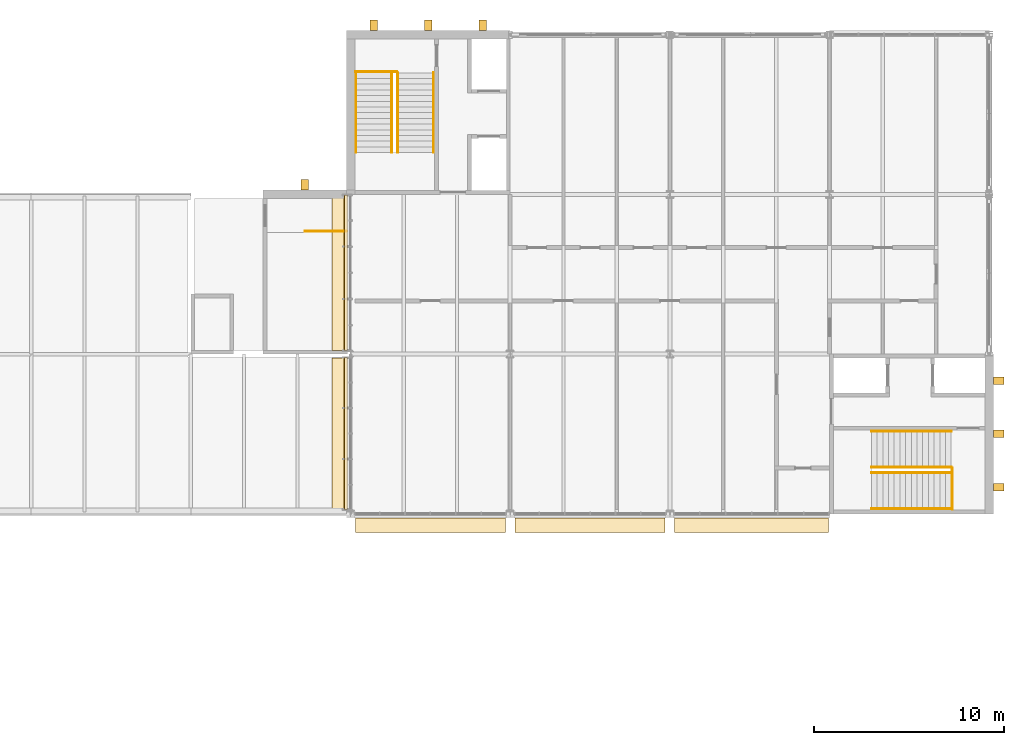
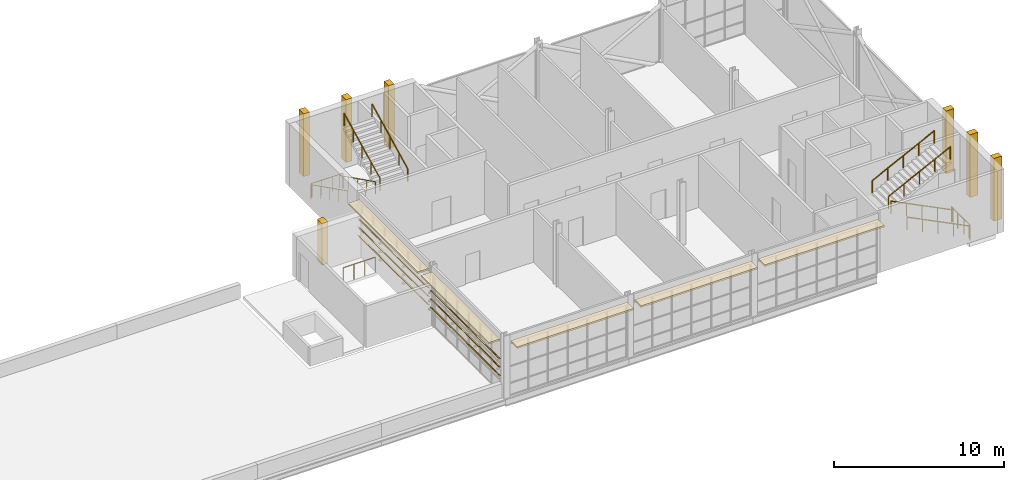
# One storey, part 29 of 29: 18 coverings, 11 railings.
"""IFC4 building model written with IfcOpenShell, lengths in metres."""

from ifc_helpers import new_model, si_unit, direction, frame, origin, origin_2d, place, context, subcontext, project, spatial, rectangle, circle, extrude, material, layer, layer_set, material_profile, profile_set, type_object, element, save


model = new_model("IFC4")

# Units and contexts
model_context = context("Model", 3, precision=1e-05, world=origin(), true_north=direction((0.0, 1.0)))
body_context = subcontext(model_context, "Body", "Model", "MODEL_VIEW")
ifc_project = project(units=[si_unit("LENGTHUNIT", "METRE"), si_unit("AREAUNIT", "SQUARE_METRE"), si_unit("VOLUMEUNIT", "CUBIC_METRE"), si_unit("PLANEANGLEUNIT", "RADIAN"), si_unit("MASSUNIT", "GRAM", prefix="KILO")], contexts=[model_context])

# Site, building, storey
site_placement = place(None, origin())
site = spatial("IfcSite", under=ifc_project, at=site_placement, CompositionType="ELEMENT")
building_placement = place(site_placement, origin())
building = spatial("IfcBuilding", under=site, at=building_placement, Name="Ardhachandra Cancer Care Centre", CompositionType="ELEMENT")
storey_placement = place(building_placement, frame((0.0, 0.0, 13.5)))
storey = spatial("IfcBuildingStorey", under=building, at=storey_placement, Name="L03", CompositionType="ELEMENT", Elevation=13.5)

# Railings
ifc_material_1 = material(Name="Steel E250 (IS 2062)", Category="steel")
railing_type_1 = type_object("IfcRailingType", Name="Guard 1100", PredefinedType="GUARDRAIL", material=ifc_material_1)
railing_1_placement = place(storey_placement, frame((111.3701171875, 94.659912109375, 0.0)))
element("IfcRailing", 1, at=railing_1_placement, inside=storey, type_object=railing_type_1, Name="Stair well guard K7 L03", PredefinedType="GUARDRAIL", context=body_context, shape_type="SweptSolid", body=[
    extrude(circle(Radius=0.02392578125, at=origin_2d()), frame((0.0, 0.0, 1.076171875), z_axis=(-1.0, 0.0, 0.0), x_axis=(0.0, -1.0, 0.0)), (0.0, 0.0, 1.0), 2.170166015625),
    extrude(circle(Radius=0.02099609375, at=origin_2d()), origin(), (0.0, 0.0, 1.0), 1.052001953125),
    extrude(circle(Radius=0.02099609375, at=origin_2d()), frame((-0.723388671875, 0.0, 0.0)), (0.0, 0.0, 1.0), 1.052001953125),
    extrude(circle(Radius=0.02099609375, at=origin_2d()), frame((-1.44677734375, 0.0, 0.0)), (0.0, 0.0, 1.0), 1.052001953125),
    extrude(circle(Radius=0.02099609375, at=origin_2d()), frame((-2.170166015625, 0.0, 0.0)), (0.0, 0.0, 1.0), 1.052001953125),
])
railing_2_placement = place(storey_placement, frame((111.85498046875, 103.06005859375, 0.0)))
element("IfcRailing", 2, at=railing_2_placement, inside=storey, type_object=railing_type_1, Name="Stair well guard K12 L03", PredefinedType="GUARDRAIL", context=body_context, shape_type="SweptSolid", body=[
    extrude(circle(Radius=0.02392578125, at=origin_2d()), frame((0.0, 0.0, 1.076171875), z_axis=(1.0, 0.0, 0.0), x_axis=(0.0, 1.0, 0.0)), (0.0, 0.0, 1.0), 2.169921875),
    extrude(circle(Radius=0.02099609375, at=origin_2d()), origin(), (0.0, 0.0, 1.0), 1.052001953125),
    extrude(circle(Radius=0.02099609375, at=origin_2d()), frame((0.723388671875, 0.0, 0.0)), (0.0, 0.0, 1.0), 1.052001953125),
    extrude(circle(Radius=0.02099609375, at=origin_2d()), frame((1.446533203125, 0.0, 0.0)), (0.0, 0.0, 1.0), 1.052001953125),
    extrude(circle(Radius=0.02099609375, at=origin_2d()), frame((2.169921875, 0.0, 0.0)), (0.0, 0.0, 1.0), 1.052001953125),
])
railing_3_placement = place(storey_placement, frame((143.260009765625, 80.030029296875, 0.0)))
element("IfcRailing", 3, at=railing_3_placement, inside=storey, type_object=railing_type_1, Name="Stair well guard K13 L03", PredefinedType="GUARDRAIL", context=body_context, shape_type="SweptSolid", body=[
    extrude(circle(Radius=0.02392578125, at=origin_2d()), frame((0.0, 0.0, 1.076171875), z_axis=(0.0, 1.0, 0.0), x_axis=(-1.0, 0.0, 0.0)), (0.0, 0.0, 1.0), 2.169921875),
    extrude(circle(Radius=0.02099609375, at=origin_2d()), origin(), (0.0, 0.0, 1.0), 1.052001953125),
    extrude(circle(Radius=0.02099609375, at=origin_2d()), frame((0.0, 0.723388671875, 0.0)), (0.0, 0.0, 1.0), 1.052001953125),
    extrude(circle(Radius=0.02099609375, at=origin_2d()), frame((0.0, 1.446533203125, 0.0)), (0.0, 0.0, 1.0), 1.052001953125),
    extrude(circle(Radius=0.02099609375, at=origin_2d()), frame((0.0, 2.169921875, 0.0)), (0.0, 0.0, 1.0), 1.052001953125),
])

# Coverings
ifc_material_2 = material(Name="Anodised aluminium extrusion", Category="aluminium")
ifc_material_profile = material_profile(ifc_material_2, rectangle(XDim=0.199951171875, YDim=0.02001953125, at=origin_2d()), Name="Louvre blade 200 x 20")
ifc_profile_set = profile_set([ifc_material_profile], Name="Anodised aluminium extrusion")
covering_type_1 = type_object("IfcCoveringType", Name="Louvre blade 200 x 20", PredefinedType="CLADDING", material=ifc_profile_set)
for number, where, z_axis, x_axis, name in (
    (4, (111.344970703125, 80.02001953125, 1.5), (0.0, 1.0, 0.0), (-0.819152044289, 0.0, 0.573576436351), "Louvre blade over curtain wall L03/w/0111600_0079800 1"),
    (5, (111.344970703125, 80.02001953125, 2.10009765625), (0.0, 1.0, 0.0), (-0.819152044289, 0.0, 0.573576436351), "Louvre blade over curtain wall L03/w/0111600_0079800 2"),
    (6, (111.344970703125, 80.02001953125, 2.699951171875), (0.0, 1.0, 0.0), (-0.819152044289, 0.0, 0.573576436351), "Louvre blade over curtain wall L03/w/0111600_0079800 3"),
):
    element("IfcCovering", number, at=place(storey_placement, frame(where, z_axis=z_axis, x_axis=x_axis)), inside=storey, type_object=covering_type_1, Name=name, PredefinedType="CLADDING", context=body_context, shape_type="SweptSolid", body=[
        extrude(rectangle(XDim=0.199951171875, YDim=0.02001953125, at=origin_2d()), origin(), (0.0, 0.0, 1.0), 8.0),
    ])
for number, where, z_axis, x_axis, name in (
    (7, (111.344970703125, 88.3798828125, 1.5), (0.0, 1.0, 0.0), (-0.819152044289, 0.0, 0.573576436351), "Louvre blade over curtain wall L03/w/0111600_0088200 1"),
    (8, (111.344970703125, 88.3798828125, 2.10009765625), (0.0, 1.0, 0.0), (-0.819152044289, 0.0, 0.573576436351), "Louvre blade over curtain wall L03/w/0111600_0088200 2"),
    (9, (111.344970703125, 88.3798828125, 2.699951171875), (0.0, 1.0, 0.0), (-0.819152044289, 0.0, 0.573576436351), "Louvre blade over curtain wall L03/w/0111600_0088200 3"),
):
    element("IfcCovering", number, at=place(storey_placement, frame(where, z_axis=z_axis, x_axis=x_axis)), inside=storey, type_object=covering_type_1, Name=name, PredefinedType="CLADDING", context=body_context, shape_type="SweptSolid", body=[
        extrude(rectangle(XDim=0.199951171875, YDim=0.02001953125, at=origin_2d()), origin(), (0.0, 0.0, 1.0), 8.190185546875),
    ])
ifc_material_3 = material(Name="Precast Concrete M25", Category="concrete")
ifc_layer_1 = layer(ifc_material_3, 0.1201171875)
ifc_layer_set_1 = layer_set([ifc_layer_1], Name="Precast Concrete M25")
covering_type_2 = type_object("IfcCoveringType", Name="Precast chajja 750 x 120", PredefinedType="USERDEFINED", material=ifc_layer_set_1)
for number, where, z_axis, x_axis, name in (
    (10, (115.800048828125, 79.199951171875, 3.949951171875), (0.0, 0.0, 1.0), (1.0, 0.0, 0.0), "Chajja over curtain wall L03/s/0111600_0079800"),
    (11, (124.199951171875, 79.199951171875, 3.949951171875), (0.0, 0.0, 1.0), (1.0, 0.0, 0.0), "Chajja over curtain wall L03/s/0120000_0079800"),
):
    element("IfcCovering", number, at=place(storey_placement, frame(where, z_axis=z_axis, x_axis=x_axis)), inside=storey, type_object=covering_type_2, Name=name, ObjectType="CHAJJA", PredefinedType="USERDEFINED", context=body_context, shape_type="SweptSolid", body=[
        extrude(rectangle(XDim=7.905029296875, YDim=0.75, at=origin_2d()), origin(), (0.0, 0.0, 1.0), 0.1201171875),
    ])
covering_1_placement = place(storey_placement, frame((132.69873046875, 79.199951171875, 3.949951171875), z_axis=(0.0, 0.0, 1.0), x_axis=(1.0, 0.0, 0.0)))
element("IfcCovering", 12, at=covering_1_placement, inside=storey, type_object=covering_type_2, Name="Chajja over curtain wall L03/s/0128400_0079800", ObjectType="CHAJJA", PredefinedType="USERDEFINED", context=body_context, shape_type="SweptSolid", body=[
    extrude(rectangle(XDim=8.1025390625, YDim=0.75, at=origin_2d()), origin(), (0.0, 0.0, 1.0), 0.1201171875),
])
covering_2_placement = place(storey_placement, frame((111.0, 84.02001953125, 3.949951171875), z_axis=(0.0, 0.0, 1.0), x_axis=(0.0, 1.0, 0.0)))
element("IfcCovering", 13, at=covering_2_placement, inside=storey, type_object=covering_type_2, Name="Chajja over curtain wall L03/w/0111600_0079800", ObjectType="CHAJJA", PredefinedType="USERDEFINED", context=body_context, shape_type="SweptSolid", body=[
    extrude(rectangle(XDim=7.9599609375, YDim=0.75, at=origin_2d()), origin(), (0.0, 0.0, 1.0), 0.1201171875),
])
covering_3_placement = place(storey_placement, frame((111.0, 92.47509765625, 3.949951171875), z_axis=(0.0, 0.0, 1.0), x_axis=(0.0, 1.0, 0.0)))
element("IfcCovering", 14, at=covering_3_placement, inside=storey, type_object=covering_type_2, Name="Chajja over curtain wall L03/w/0111600_0088200", ObjectType="CHAJJA", PredefinedType="USERDEFINED", context=body_context, shape_type="SweptSolid", body=[
    extrude(rectangle(XDim=8.14990234375, YDim=0.75, at=origin_2d()), origin(), (0.0, 0.0, 1.0), 0.1201171875),
])
ifc_material_4 = material(Name="Precast Concrete M25", Category="concrete")
ifc_layer_2 = layer(ifc_material_4, 0.39990234375)
ifc_layer_set_2 = layer_set([ifc_layer_2], Name="Precast Concrete M25")
covering_type_3 = type_object("IfcCoveringType", Name="Precast concrete fin 400 x 550", PredefinedType="CLADDING", material=ifc_layer_set_2)
covering_4_placement = place(storey_placement, frame((109.199951171875, 97.10009765625, 0.0), z_axis=(0.0, 0.0, 1.0), x_axis=(1.0, 0.0, 0.0)))
element("IfcCovering", 15, at=covering_4_placement, inside=storey, type_object=covering_type_3, Name="Fin L03 core K7 1", PredefinedType="CLADDING", context=body_context, shape_type="SweptSolid", body=[
    extrude(rectangle(XDim=0.39990234375, YDim=0.550048828125, at=origin_2d()), origin(), (0.0, 0.0, 1.0), 3.0),
])
for number, where, z_axis, x_axis, name in (
    (16, (112.8125, 105.5, 0.0), (0.0, 0.0, 1.0), (1.0, 0.0, 0.0), "Fin L03 core K12 1"),
    (17, (115.6875, 105.5, 0.0), (0.0, 0.0, 1.0), (1.0, 0.0, 0.0), "Fin L03 core K12 2"),
    (18, (118.5625, 105.5, 0.0), (0.0, 0.0, 1.0), (1.0, 0.0, 0.0), "Fin L03 core K12 3"),
    (19, (145.699951171875, 81.199951171875, 0.0), (0.0, 0.0, 1.0), (0.0, 1.0, 0.0), "Fin L03 core K13 1"),
    (20, (145.699951171875, 84.0, 0.0), (0.0, 0.0, 1.0), (0.0, 1.0, 0.0), "Fin L03 core K13 2"),
    (21, (145.699951171875, 86.800048828125, 0.0), (0.0, 0.0, 1.0), (0.0, 1.0, 0.0), "Fin L03 core K13 3"),
):
    element("IfcCovering", number, at=place(storey_placement, frame(where, z_axis=z_axis, x_axis=x_axis)), inside=storey, type_object=covering_type_3, Name=name, PredefinedType="CLADDING", context=body_context, shape_type="SweptSolid", body=[
        extrude(rectangle(XDim=0.39990234375, YDim=0.550048828125, at=origin_2d()), origin(), (0.0, 0.0, 1.0), 4.5),
    ])

# Railings
ifc_material_5 = material(Name="Steel E250 (IS 2062)", Category="steel")
railing_type_2 = type_object("IfcRailingType", Name="Stair handrail 900", PredefinedType="HANDRAIL", material=ifc_material_5)
for number, where, name in (
    (22, (111.885009765625, 103.0, 0.14990234375), "Handrail K12 L03-L04 flight 1 wall side"),
    (23, (113.77490234375, 103.0, 0.14990234375), "Handrail K12 L03-L04 flight 1 well side"),
):
    element("IfcRailing", number, at=place(storey_placement, frame(where)), inside=storey, type_object=railing_type_2, Name=name, PredefinedType="HANDRAIL", context=body_context, shape_type="SweptSolid", body=[
        extrude(circle(Radius=0.02392578125, at=origin_2d()), frame((0.0, 0.0, 0.8759765625), z_axis=(0.0, -0.894416792377, 0.447234392142), x_axis=(1.0, 0.0, 0.0)), (0.0, 0.0, 1.0), 4.69580078125),
        extrude(circle(Radius=0.02099609375, at=origin_2d()), origin(), (0.0, 0.0, 1.0), 0.851806640625),
        extrude(circle(Radius=0.02099609375, at=origin_2d()), frame((0.0, -1.050048828125, 0.52490234375)), (0.0, 0.0, 1.0), 0.851806640625),
        extrude(circle(Radius=0.02099609375, at=origin_2d()), frame((0.0, -2.10009765625, 1.050048828125)), (0.0, 0.0, 1.0), 0.851806640625),
        extrude(circle(Radius=0.02099609375, at=origin_2d()), frame((0.0, -3.14990234375, 1.5751953125)), (0.0, 0.0, 1.0), 0.851806640625),
        extrude(circle(Radius=0.02099609375, at=origin_2d()), frame((0.0, -4.199951171875, 2.10009765625)), (0.0, 0.0, 1.0), 0.851806640625),
    ])
for number, where, name in (
    (24, (114.074951171875, 98.800048828125, 2.39990234375), "Handrail K12 L03-L04 flight 2 well side"),
    (25, (115.965087890625, 98.800048828125, 2.39990234375), "Handrail K12 L03-L04 flight 2 wall side"),
):
    element("IfcRailing", number, at=place(storey_placement, frame(where)), inside=storey, type_object=railing_type_2, Name=name, PredefinedType="HANDRAIL", context=body_context, shape_type="SweptSolid", body=[
        extrude(circle(Radius=0.02392578125, at=origin_2d()), frame((0.0, 0.0, 0.8759765625), z_axis=(0.0, 0.894416792377, 0.447234392142), x_axis=(-1.0, 0.0, 0.0)), (0.0, 0.0, 1.0), 4.69580078125),
        extrude(circle(Radius=0.02099609375, at=origin_2d()), origin(), (0.0, 0.0, 1.0), 0.851806640625),
        extrude(circle(Radius=0.02099609375, at=origin_2d()), frame((0.0, 1.050048828125, 0.52490234375)), (0.0, 0.0, 1.0), 0.851806640625),
        extrude(circle(Radius=0.02099609375, at=origin_2d()), frame((0.0, 2.10009765625, 1.050048828125)), (0.0, 0.0, 1.0), 0.851806640625),
        extrude(circle(Radius=0.02099609375, at=origin_2d()), frame((0.0, 3.14990234375, 1.5751953125)), (0.0, 0.0, 1.0), 0.851806640625),
        extrude(circle(Radius=0.02099609375, at=origin_2d()), frame((0.0, 4.199951171875, 2.10009765625)), (0.0, 0.0, 1.0), 0.851806640625),
    ])
for number, where, name in (
    (26, (143.199951171875, 80.06005859375, 0.14990234375), "Handrail K13 L03-L04 flight 1 wall side"),
    (27, (143.199951171875, 81.949951171875, 0.14990234375), "Handrail K13 L03-L04 flight 1 well side"),
):
    element("IfcRailing", number, at=place(storey_placement, frame(where)), inside=storey, type_object=railing_type_2, Name=name, PredefinedType="HANDRAIL", context=body_context, shape_type="SweptSolid", body=[
        extrude(circle(Radius=0.02392578125, at=origin_2d()), frame((0.0, 0.0, 0.8759765625), z_axis=(-0.894416792377, 0.0, 0.447234392142), x_axis=(0.0, -1.0, 0.0)), (0.0, 0.0, 1.0), 4.69580078125),
        extrude(circle(Radius=0.02099609375, at=origin_2d()), origin(), (0.0, 0.0, 1.0), 0.851806640625),
        extrude(circle(Radius=0.02099609375, at=origin_2d()), frame((-1.050048828125, 0.0, 0.52490234375)), (0.0, 0.0, 1.0), 0.851806640625),
        extrude(circle(Radius=0.02099609375, at=origin_2d()), frame((-2.10009765625, 0.0, 1.050048828125)), (0.0, 0.0, 1.0), 0.851806640625),
        extrude(circle(Radius=0.02099609375, at=origin_2d()), frame((-3.14990234375, 0.0, 1.5751953125)), (0.0, 0.0, 1.0), 0.851806640625),
        extrude(circle(Radius=0.02099609375, at=origin_2d()), frame((-4.199951171875, 0.0, 2.10009765625)), (0.0, 0.0, 1.0), 0.851806640625),
    ])
for number, where, name in (
    (28, (139.0, 82.25, 2.39990234375), "Handrail K13 L03-L04 flight 2 well side"),
    (29, (139.0, 84.139892578125, 2.39990234375), "Handrail K13 L03-L04 flight 2 wall side"),
):
    element("IfcRailing", number, at=place(storey_placement, frame(where)), inside=storey, type_object=railing_type_2, Name=name, PredefinedType="HANDRAIL", context=body_context, shape_type="SweptSolid", body=[
        extrude(circle(Radius=0.02392578125, at=origin_2d()), frame((0.0, 0.0, 0.8759765625), z_axis=(0.894416792377, 0.0, 0.447234392142), x_axis=(0.0, 1.0, 0.0)), (0.0, 0.0, 1.0), 4.69580078125),
        extrude(circle(Radius=0.02099609375, at=origin_2d()), origin(), (0.0, 0.0, 1.0), 0.851806640625),
        extrude(circle(Radius=0.02099609375, at=origin_2d()), frame((1.050048828125, 0.0, 0.52490234375)), (0.0, 0.0, 1.0), 0.851806640625),
        extrude(circle(Radius=0.02099609375, at=origin_2d()), frame((2.10009765625, 0.0, 1.050048828125)), (0.0, 0.0, 1.0), 0.851806640625),
        extrude(circle(Radius=0.02099609375, at=origin_2d()), frame((3.14990234375, 0.0, 1.5751953125)), (0.0, 0.0, 1.0), 0.851806640625),
        extrude(circle(Radius=0.02099609375, at=origin_2d()), frame((4.199951171875, 0.0, 2.10009765625)), (0.0, 0.0, 1.0), 0.851806640625),
    ])

save(model, "model.ifc")
